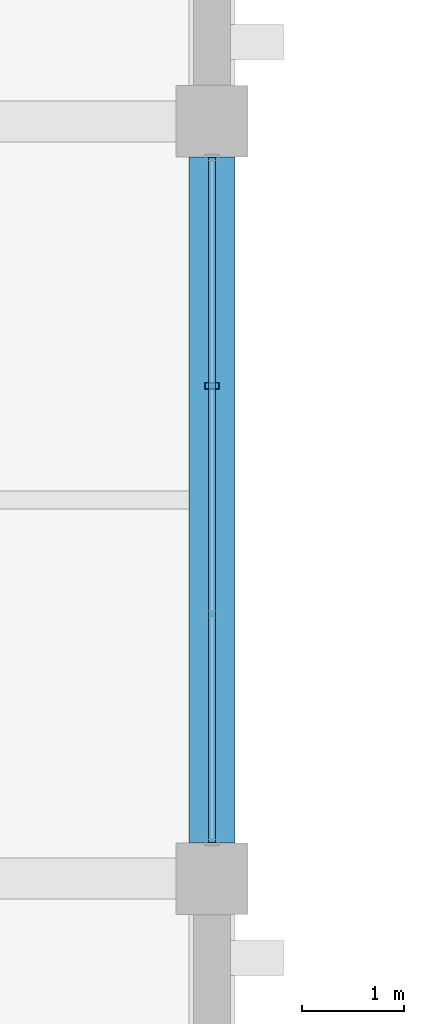
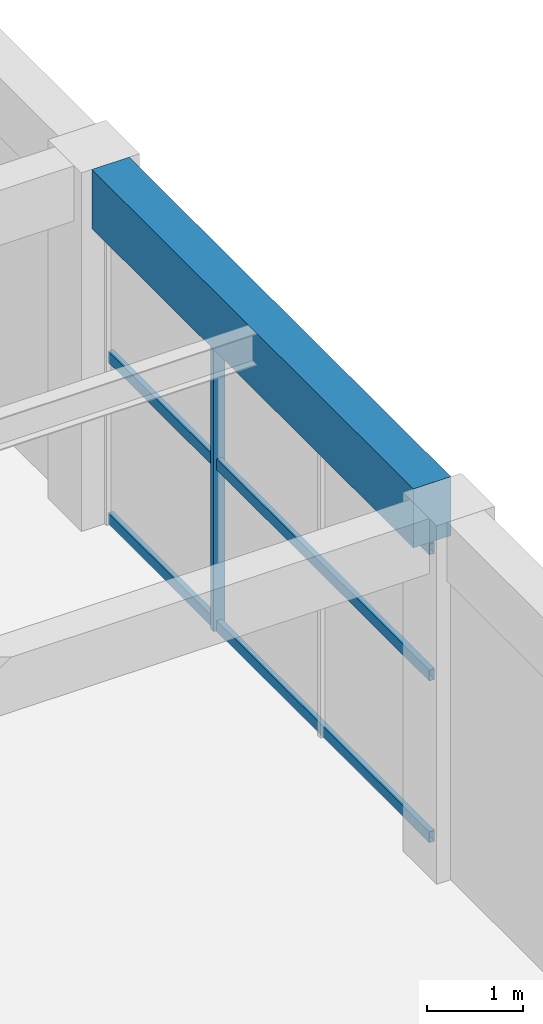
# One storey, part 67 of 161: 4 members, 1 beam, 1 element without a shape of its own.
"""IFC4 building model written with IfcOpenShell, lengths in metres."""

from ifc_helpers import new_model, si_unit, direction, frame, origin, origin_2d, place, context, subcontext, project, spatial, rectangle, hollow_rectangle, extrude, material, material_profile, profile_set, type_object, element, aggregate, save


model = new_model("IFC4")

# Units and contexts
model_context = context("Model", 3, precision=1e-05, world=origin(), true_north=direction((0.0, 1.0)))
body_context = subcontext(model_context, "Body", "Model", "MODEL_VIEW")
ifc_project = project(units=[si_unit("LENGTHUNIT", "METRE"), si_unit("AREAUNIT", "SQUARE_METRE"), si_unit("VOLUMEUNIT", "CUBIC_METRE"), si_unit("PLANEANGLEUNIT", "RADIAN"), si_unit("MASSUNIT", "GRAM", prefix="KILO")], contexts=[model_context])

# Site, building, storey
site_placement = place(None, origin())
site = spatial("IfcSite", under=ifc_project, at=site_placement, CompositionType="ELEMENT")
building_placement = place(site_placement, origin())
building = spatial("IfcBuilding", under=site, at=building_placement, Name="Cimatlan Art Gallery", CompositionType="ELEMENT")
storey_placement = place(building_placement, frame((0.0, 0.0, 5.39990234375)))
storey = spatial("IfcBuildingStorey", under=building, at=storey_placement, Name="L01", CompositionType="ELEMENT", Elevation=5.39990234375)

# Beam
ifc_material_1 = material(Name="Concrete C40/50", Category="concrete")
ifc_material_profile_1 = material_profile(ifc_material_1, rectangle(XDim=0.449951171875, YDim=0.75, at=origin_2d()), Name="RC450X750")
ifc_profile_set_1 = profile_set([ifc_material_profile_1], Name="Concrete C40/50")
beam_type = type_object("IfcBeamType", Name="BM-RC-450X750", PredefinedType="BEAM", material=ifc_profile_set_1)
beam_placement = place(storey_placement, frame((18.199951171875, 76.050048828125, 4.18505859375), z_axis=(0.0, 1.0, 0.0), x_axis=(-1.0, 0.0, 0.0)))
element("IfcBeam", 1, at=beam_placement, inside=storey, type_object=beam_type, Name="BM-Y-L01-02-10", PredefinedType="BEAM", context=body_context, shape_type="SweptSolid", body=[
    extrude(rectangle(XDim=0.449951171875, YDim=0.75, at=origin_2d()), origin(), (0.0, 0.0, 1.0), 6.699951171875),
])

# Curtain wall, members
ifc_material_2 = material(Name="Anodised bronze unitised curtain wall")
curtain_wall_type = type_object("IfcCurtainWallType", Name="CW-V-06692X03780-B3", PredefinedType="NOTDEFINED", material=ifc_material_2)
curtain_wall_placement = place(storey_placement, origin())
curtain_wall = element("IfcCurtainWall", 2, at=curtain_wall_placement, inside=storey, type_object=curtain_wall_type, Name="CW-L01-01-10-E", PredefinedType="NOTDEFINED")
ifc_material_3 = material(Name="Anodised bronze aluminium 6063-T6", Category="aluminium")
ifc_material_profile_2 = material_profile(ifc_material_3, hollow_rectangle(XDim=0.06494140625, YDim=0.139892578125, WallThickness=0.00390625, at=origin_2d()), Name="ALU65X140X4")
ifc_profile_set_2 = profile_set([ifc_material_profile_2], Name="Anodised bronze aluminium 6063-T6")
member_type_1 = type_object("IfcMemberType", Name="CW-MUL-140", PredefinedType="MULLION", material=ifc_profile_set_2)
member_1_placement = place(storey_placement, frame((18.199951171875, 80.515380859375, 0.0), z_axis=(0.0, 0.0, 1.0), x_axis=(0.0, 1.0, 0.0)))
member_1 = element("IfcMember", 3, at=member_1_placement, type_object=member_type_1, Name="CW-L01-01-10-E-M2", PredefinedType="MULLION", context=body_context, shape_type="SweptSolid", body=[
    extrude(hollow_rectangle(XDim=0.06494140625, YDim=0.139892578125, WallThickness=0.00390625, at=origin_2d()), origin(), (0.0, 0.0, 1.0), 3.780029296875),
])
ifc_material_profile_3 = material_profile(ifc_material_3, hollow_rectangle(XDim=0.06494140625, YDim=0.139892578125, WallThickness=0.00390625, at=origin_2d()), Name="ALU65X140X4")
ifc_profile_set_3 = profile_set([ifc_material_profile_3], Name="Anodised bronze aluminium 6063-T6")
member_type_2 = type_object("IfcMemberType", Name="CW-TRN-140", PredefinedType="USERDEFINED", material=ifc_profile_set_3)
member_2_placement = place(storey_placement, frame((18.199951171875, 82.74609375, 0.06005859375), z_axis=(0.0, -1.0, 0.0), x_axis=(1.0, 0.0, 0.0)))
member_2 = element("IfcMember", 4, at=member_2_placement, type_object=member_type_2, Name="CW-L01-01-10-E-T1", ObjectType="TRANSOM", PredefinedType="USERDEFINED", context=body_context, shape_type="SweptSolid", body=[
    extrude(hollow_rectangle(XDim=0.06494140625, YDim=0.139892578125, WallThickness=0.00390625, at=origin_2d()), origin(), (0.0, 0.0, 1.0), 6.692138671875),
])
member_3_placement = place(storey_placement, frame((18.199951171875, 82.74609375, 2.116943359375), z_axis=(0.0, -1.0, 0.0), x_axis=(1.0, 0.0, 0.0)))
member_3 = element("IfcMember", 5, at=member_3_placement, type_object=member_type_2, Name="CW-L01-01-10-E-T2", ObjectType="TRANSOM", PredefinedType="USERDEFINED", context=body_context, shape_type="SweptSolid", body=[
    extrude(hollow_rectangle(XDim=0.06494140625, YDim=0.139892578125, WallThickness=0.00390625, at=origin_2d()), origin(), (0.0, 0.0, 1.0), 6.692138671875),
])
member_4_placement = place(storey_placement, frame((18.199951171875, 82.74609375, 3.72021484375), z_axis=(0.0, -1.0, 0.0), x_axis=(1.0, 0.0, 0.0)))
member_4 = element("IfcMember", 6, at=member_4_placement, type_object=member_type_2, Name="CW-L01-01-10-E-T3", ObjectType="TRANSOM", PredefinedType="USERDEFINED", context=body_context, shape_type="SweptSolid", body=[
    extrude(hollow_rectangle(XDim=0.06494140625, YDim=0.139892578125, WallThickness=0.00390625, at=origin_2d()), origin(), (0.0, 0.0, 1.0), 6.692138671875),
])
aggregate(curtain_wall, [member_1, member_2, member_3, member_4])

save(model, "model.ifc")
